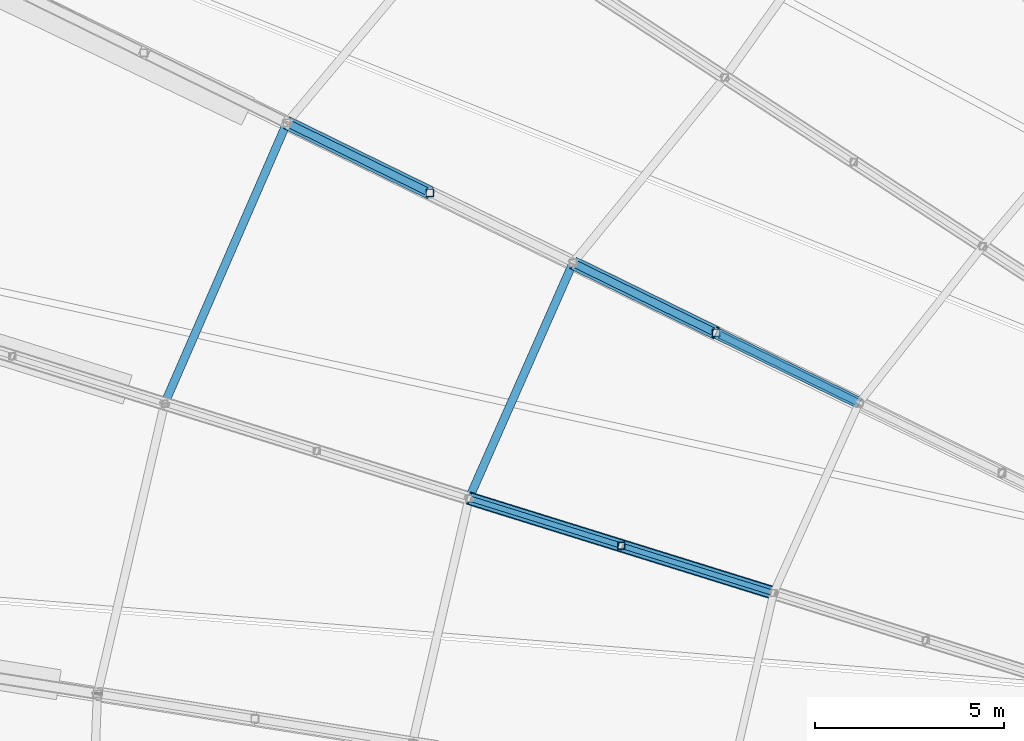
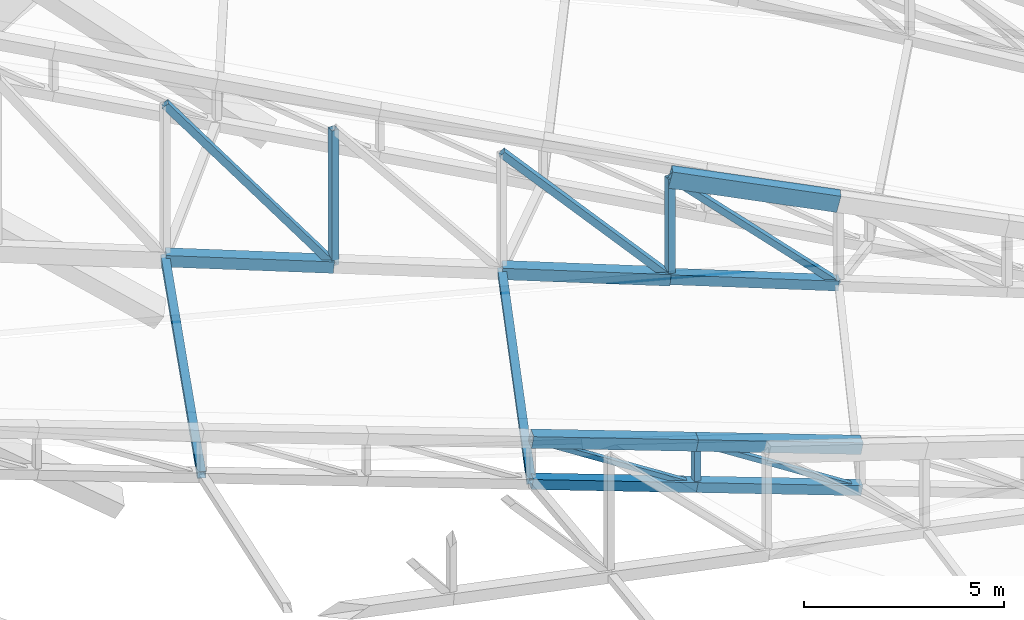
# One storey, part 132 of 344: 18 members.
"""IFC4 building model written with IfcOpenShell, lengths in metres."""

from ifc_helpers import new_model, si_unit, direction, frame, origin, origin_2d, place, context, subcontext, project, spatial, hollow_rectangle, extrude, material, material_profile, profile_set, type_object, element, save


model = new_model("IFC4")

# Units and contexts
model_context = context("Model", 3, precision=1e-05, world=origin(), true_north=direction((0.0, 1.0)))
body_context = subcontext(model_context, "Body", "Model", "MODEL_VIEW")
ifc_project = project(units=[si_unit("LENGTHUNIT", "METRE"), si_unit("AREAUNIT", "SQUARE_METRE"), si_unit("VOLUMEUNIT", "CUBIC_METRE"), si_unit("PLANEANGLEUNIT", "RADIAN"), si_unit("MASSUNIT", "GRAM", prefix="KILO")], contexts=[model_context])

# Site, building, storey
site_placement = place(None, origin())
site = spatial("IfcSite", under=ifc_project, at=site_placement, CompositionType="ELEMENT")
building_placement = place(site_placement, origin())
building = spatial("IfcBuilding", under=site, at=building_placement, Name="Meseta Stadium", CompositionType="ELEMENT")
storey_placement = place(building_placement, frame((0.0, 0.0, 24.0)))
storey = spatial("IfcBuildingStorey", under=building, at=storey_placement, Name="L04", CompositionType="ELEMENT", Elevation=24.0)

# Members
ifc_material_1 = material(Name="Steel S355", Category="steel")
ifc_material_profile_1 = material_profile(ifc_material_1, hollow_rectangle(XDim=0.300048828125, YDim=0.5, WallThickness=0.01611328125, at=origin_2d()), Name="RHS 500x300x16")
ifc_profile_set_1 = profile_set([ifc_material_profile_1], Name="Steel S355")
member_type_1 = type_object("IfcMemberType", Name="RHS 500x300x16 top chord", PredefinedType="CHORD", material=ifc_profile_set_1)
member_1_placement = place(storey_placement, frame((-51.68359375, 59.2900390625, 6.164794921875), z_axis=(-0.876487635382, 0.429120211303, 0.218232145374), x_axis=(-0.439718804076, -0.89813549832, 0.0)))
element("IfcMember", 1, at=member_1_placement, inside=storey, type_object=member_type_1, Name="ROOF TRUSS RT-26 top chord", PredefinedType="CHORD", context=body_context, shape_type="SweptSolid", body=[
    extrude(hollow_rectangle(XDim=0.300048828125, YDim=0.5, WallThickness=0.01611328125, at=origin_2d()), origin(), (0.0, 0.0, 1.0), 4.321533203125),
])
ifc_material_2 = material(Name="Steel S355", Category="steel")
ifc_material_profile_2 = material_profile(ifc_material_2, hollow_rectangle(XDim=0.139892578125, YDim=0.139892578125, WallThickness=0.0048828125, at=origin_2d()), Name="SHS 140x140x5")
ifc_profile_set_2 = profile_set([ifc_material_profile_2], Name="Steel S355")
member_type_2 = type_object("IfcMemberType", Name="SHS 140x140x5 diagonal", PredefinedType="BRACE", material=ifc_profile_set_2)
for number, where, z_axis, x_axis, name in (
    (2, (-53.947021484375, 54.2568359375, 1.271240234375), (-0.859278691546, 0.267243269939, 0.436143514142), (-0.296977513201, -0.954884472935, 0.0), "ROOF TRUSS RT-27 diagonal"),
    (3, (-57.978759765625, 55.5107421875, 2.017578125), (-0.859278691546, 0.267243269939, 0.436143514142), (-0.296977513201, -0.954884472935, 0.0), "ROOF TRUSS RT-27 diagonal"),
):
    element("IfcMember", number, at=place(storey_placement, frame(where, z_axis=z_axis, x_axis=x_axis)), inside=storey, type_object=member_type_2, Name=name, PredefinedType="BRACE", context=body_context, shape_type="SweptSolid", body=[
        extrude(hollow_rectangle(XDim=0.139892578125, YDim=0.139892578125, WallThickness=0.0048828125, at=origin_2d()), origin(), (0.0, 0.0, 1.0), 4.69189453125),
    ])
ifc_material_3 = material(Name="Steel S355", Category="steel")
ifc_material_profile_3 = material_profile(ifc_material_3, hollow_rectangle(XDim=0.179931640625, YDim=0.179931640625, WallThickness=0.00634765625, at=origin_2d()), Name="SHS 180x180x6.3")
ifc_profile_set_3 = profile_set([ifc_material_profile_3], Name="Steel S355")
member_type_3 = type_object("IfcMemberType", Name="SHS 180x180x6.3 diagonal", PredefinedType="BRACE", material=ifc_profile_set_3)
member_2_placement = place(storey_placement, frame((-51.68359375, 59.2900390625, 3.670166015625), z_axis=(-0.696160708723, 0.340833821686, 0.631816882986), x_axis=(-0.439718804076, -0.89813549832, 0.0)))
element("IfcMember", 4, at=member_2_placement, inside=storey, type_object=member_type_3, Name="ROOF TRUSS RT-26 diagonal", PredefinedType="BRACE", context=body_context, shape_type="SweptSolid", body=[
    extrude(hollow_rectangle(XDim=0.179931640625, YDim=0.179931640625, WallThickness=0.00634765625, at=origin_2d()), origin(), (0.0, 0.0, 1.0), 5.441162109375),
])
ifc_material_4 = material(Name="Steel S355", Category="steel")
ifc_material_profile_4 = material_profile(ifc_material_4, hollow_rectangle(XDim=0.179931640625, YDim=0.179931640625, WallThickness=0.00634765625, at=origin_2d()), Name="SHS 180x180x6.3")
ifc_profile_set_4 = profile_set([ifc_material_profile_4], Name="Steel S355")
member_type_4 = type_object("IfcMemberType", Name="SHS 180x180x6.3 post", PredefinedType="POST", material=ifc_profile_set_4)
member_3_placement = place(storey_placement, frame((-57.978759765625, 55.5107421875, 2.017578125), z_axis=(0.0, 0.0, 1.0), x_axis=(1.0, 0.0, 0.0)))
element("IfcMember", 5, at=member_3_placement, inside=storey, type_object=member_type_4, Name="ROOF TRUSS RT-27 post", PredefinedType="POST", context=body_context, shape_type="SweptSolid", body=[
    extrude(hollow_rectangle(XDim=0.179931640625, YDim=0.179931640625, WallThickness=0.00634765625, at=origin_2d()), origin(), (0.0, 0.0, 1.0), 1.300048828125),
])
ifc_material_5 = material(Name="Steel S355", Category="steel")
ifc_material_profile_5 = material_profile(ifc_material_5, hollow_rectangle(XDim=0.199951171875, YDim=0.199951171875, WallThickness=0.008056640625, at=origin_2d()), Name="SHS 200x200x8")
ifc_profile_set_5 = profile_set([ifc_material_profile_5], Name="Steel S355")
member_type_5 = type_object("IfcMemberType", Name="SHS 200x200x8 diagonal", PredefinedType="BRACE", material=ifc_profile_set_5)
member_4_placement = place(storey_placement, frame((-55.471435546875, 61.14453125, 4.06591796875), z_axis=(-0.652771935707, 0.31965375761, 0.686811673749), x_axis=(-0.43978836159, -0.898101440267, 0.0)))
element("IfcMember", 6, at=member_4_placement, inside=storey, type_object=member_type_5, Name="ROOF TRUSS RT-26 diagonal", PredefinedType="BRACE", context=body_context, shape_type="SweptSolid", body=[
    extrude(hollow_rectangle(XDim=0.199951171875, YDim=0.199951171875, WallThickness=0.008056640625, at=origin_2d()), origin(), (0.0, 0.0, 1.0), 5.80224609375),
])
member_5_placement = place(storey_placement, frame((-63.046875, 64.853759765625, 4.857421875), z_axis=(-0.573707367057, 0.280881802137, 0.76939279319), x_axis=(-0.439718804076, -0.89813549832, 0.0)))
element("IfcMember", 7, at=member_5_placement, inside=storey, type_object=member_type_5, Name="ROOF TRUSS RT-26 diagonal", PredefinedType="BRACE", context=body_context, shape_type="SweptSolid", body=[
    extrude(hollow_rectangle(XDim=0.199951171875, YDim=0.199951171875, WallThickness=0.008056640625, at=origin_2d()), origin(), (0.0, 0.0, 1.0), 6.602294921875),
])
ifc_material_6 = material(Name="Steel S355", Category="steel")
ifc_material_profile_6 = material_profile(ifc_material_6, hollow_rectangle(XDim=0.199951171875, YDim=0.199951171875, WallThickness=0.008056640625, at=origin_2d()), Name="SHS 200x200x8")
ifc_profile_set_6 = profile_set([ifc_material_profile_6], Name="Steel S355")
member_type_6 = type_object("IfcMemberType", Name="SHS 200x200x8 post", PredefinedType="POST", material=ifc_profile_set_6)
member_6_placement = place(storey_placement, frame((-55.471435546875, 61.14453125, 4.06591796875), z_axis=(0.0, 0.0, 1.0), x_axis=(1.0, 0.0, 0.0)))
element("IfcMember", 8, at=member_6_placement, inside=storey, type_object=member_type_6, Name="ROOF TRUSS RT-26 post", PredefinedType="POST", context=body_context, shape_type="SweptSolid", body=[
    extrude(hollow_rectangle(XDim=0.199951171875, YDim=0.199951171875, WallThickness=0.008056640625, at=origin_2d()), origin(), (0.0, 0.0, 1.0), 3.0419921875),
])
member_7_placement = place(storey_placement, frame((-63.046875, 64.853759765625, 4.857421875), z_axis=(0.0, 0.0, 1.0), x_axis=(1.0, 0.0, 0.0)))
element("IfcMember", 9, at=member_7_placement, inside=storey, type_object=member_type_6, Name="ROOF TRUSS RT-26 post", PredefinedType="POST", context=body_context, shape_type="SweptSolid", body=[
    extrude(hollow_rectangle(XDim=0.199951171875, YDim=0.199951171875, WallThickness=0.008056640625, at=origin_2d()), origin(), (0.0, 0.0, 1.0), 4.13671875),
])
ifc_material_7 = material(Name="Steel S355", Category="steel")
ifc_material_profile_7 = material_profile(ifc_material_7, hollow_rectangle(XDim=0.219970703125, YDim=0.219970703125, WallThickness=0.008056640625, at=origin_2d()), Name="SHS 220x220x8")
ifc_profile_set_7 = profile_set([ifc_material_profile_7], Name="Steel S355")
member_type_7 = type_object("IfcMemberType", Name="SHS 220x220x8 strut", PredefinedType="STRUT", material=ifc_profile_set_7)
member_8_placement = place(storey_placement, frame((-59.259033203125, 62.999267578125, 4.461669921875), z_axis=(-0.391775661057, -0.887735142538, -0.24173983558), x_axis=(0.914869154579, -0.403750455108, 0.0)))
element("IfcMember", 10, at=member_8_placement, inside=storey, type_object=member_type_7, Name="ROOF TRUSS STRUT RT-26/27", PredefinedType="STRUT", context=body_context, shape_type="SweptSolid", body=[
    extrude(hollow_rectangle(XDim=0.219970703125, YDim=0.219970703125, WallThickness=0.008056640625, at=origin_2d()), origin(), (0.0, 0.0, 1.0), 7.02294921875),
])
member_9_placement = place(storey_placement, frame((-66.834716796875, 66.708251953125, 5.253173828125), z_axis=(-0.396387912699, -0.909947470981, -0.121951722915), x_axis=(0.916790363783, -0.399368788058, 0.0)))
element("IfcMember", 11, at=member_9_placement, inside=storey, type_object=member_type_7, Name="ROOF TRUSS STRUT RT-26/27", PredefinedType="STRUT", context=body_context, shape_type="SweptSolid", body=[
    extrude(hollow_rectangle(XDim=0.219970703125, YDim=0.219970703125, WallThickness=0.008056640625, at=origin_2d()), origin(), (0.0, 0.0, 1.0), 8.171875),
])
ifc_material_8 = material(Name="Steel S355", Category="steel")
ifc_material_profile_8 = material_profile(ifc_material_8, hollow_rectangle(XDim=0.300048828125, YDim=0.300048828125, WallThickness=0.010009765625, at=origin_2d()), Name="SHS 300x300x10")
ifc_profile_set_8 = profile_set([ifc_material_profile_8], Name="Steel S355")
member_type_8 = type_object("IfcMemberType", Name="SHS 300x300x10 bottom chord", PredefinedType="CHORD", material=ifc_profile_set_8)
member_10_placement = place(storey_placement, frame((-51.68359375, 59.2900390625, 3.670166015625), z_axis=(-0.8942072269, 0.437795558848, 0.093426356094), x_axis=(-0.439718804076, -0.89813549832, 0.0)))
element("IfcMember", 12, at=member_10_placement, inside=storey, type_object=member_type_8, Name="ROOF TRUSS RT-26 bottom chord", PredefinedType="CHORD", context=body_context, shape_type="SweptSolid", body=[
    extrude(hollow_rectangle(XDim=0.300048828125, YDim=0.300048828125, WallThickness=0.010009765625, at=origin_2d()), origin(), (0.0, 0.0, 1.0), 4.236083984375),
])
for number, where, z_axis, x_axis, name in (
    (13, (-53.947021484375, 54.2568359375, 1.271240234375), (-0.940307263038, 0.292443872046, 0.174065599074), (-0.296977513201, -0.954884472935, 0.0), "ROOF TRUSS RT-27 bottom chord"),
    (14, (-57.978759765625, 55.5107421875, 2.017578125), (-0.940307263038, 0.292443872046, 0.174065599074), (-0.296977513201, -0.954884472935, 0.0), "ROOF TRUSS RT-27 bottom chord"),
):
    element("IfcMember", number, at=place(storey_placement, frame(where, z_axis=z_axis, x_axis=x_axis)), inside=storey, type_object=member_type_8, Name=name, PredefinedType="CHORD", context=body_context, shape_type="SweptSolid", body=[
        extrude(hollow_rectangle(XDim=0.300048828125, YDim=0.300048828125, WallThickness=0.010009765625, at=origin_2d()), origin(), (0.0, 0.0, 1.0), 4.28759765625),
    ])
ifc_material_9 = material(Name="Steel S355", Category="steel")
ifc_material_profile_9 = material_profile(ifc_material_9, hollow_rectangle(XDim=0.35009765625, YDim=0.35009765625, WallThickness=0.010009765625, at=origin_2d()), Name="SHS 350x350x10")
ifc_profile_set_9 = profile_set([ifc_material_profile_9], Name="Steel S355")
member_type_9 = type_object("IfcMemberType", Name="SHS 350x350x10 top chord", PredefinedType="CHORD", material=ifc_profile_set_9)
for number, where, z_axis, x_axis, name in (
    (15, (-53.947021484375, 54.2568359375, 2.5712890625), (-0.940307263038, 0.292443872046, 0.174065599074), (-0.296977513201, -0.954884472935, 0.0), "ROOF TRUSS RT-27 top chord"),
    (16, (-57.978759765625, 55.5107421875, 3.317626953125), (-0.940307263038, 0.292443872046, 0.174065599074), (-0.296977513201, -0.954884472935, 0.0), "ROOF TRUSS RT-27 top chord"),
):
    element("IfcMember", number, at=place(storey_placement, frame(where, z_axis=z_axis, x_axis=x_axis)), inside=storey, type_object=member_type_9, Name=name, PredefinedType="CHORD", context=body_context, shape_type="SweptSolid", body=[
        extrude(hollow_rectangle(XDim=0.35009765625, YDim=0.35009765625, WallThickness=0.010009765625, at=origin_2d()), origin(), (0.0, 0.0, 1.0), 4.28759765625),
    ])
ifc_material_10 = material(Name="Steel S355", Category="steel")
ifc_material_profile_10 = material_profile(ifc_material_10, hollow_rectangle(XDim=0.35009765625, YDim=0.35009765625, WallThickness=0.01416015625, at=origin_2d()), Name="SHS 350x350x14.2")
ifc_profile_set_10 = profile_set([ifc_material_profile_10], Name="Steel S355")
member_type_10 = type_object("IfcMemberType", Name="SHS 350x350x14.2 bottom chord", PredefinedType="CHORD", material=ifc_profile_set_10)
member_11_placement = place(storey_placement, frame((-55.471435546875, 61.14453125, 4.06591796875), z_axis=(-0.894173110711, 0.437864710717, 0.093428813489), x_axis=(-0.43978836159, -0.898101440267, 0.0)))
element("IfcMember", 17, at=member_11_placement, inside=storey, type_object=member_type_10, Name="ROOF TRUSS RT-26 bottom chord", PredefinedType="CHORD", context=body_context, shape_type="SweptSolid", body=[
    extrude(hollow_rectangle(XDim=0.35009765625, YDim=0.35009765625, WallThickness=0.01416015625, at=origin_2d()), origin(), (0.0, 0.0, 1.0), 4.23583984375),
])
member_12_placement = place(storey_placement, frame((-63.046875, 64.853759765625, 4.857421875), z_axis=(-0.8942072269, 0.437795558848, 0.093426356094), x_axis=(-0.439718804076, -0.89813549832, 0.0)))
element("IfcMember", 18, at=member_12_placement, inside=storey, type_object=member_type_10, Name="ROOF TRUSS RT-26 bottom chord", PredefinedType="CHORD", context=body_context, shape_type="SweptSolid", body=[
    extrude(hollow_rectangle(XDim=0.35009765625, YDim=0.35009765625, WallThickness=0.01416015625, at=origin_2d()), origin(), (0.0, 0.0, 1.0), 4.236083984375),
])

save(model, "model.ifc")
